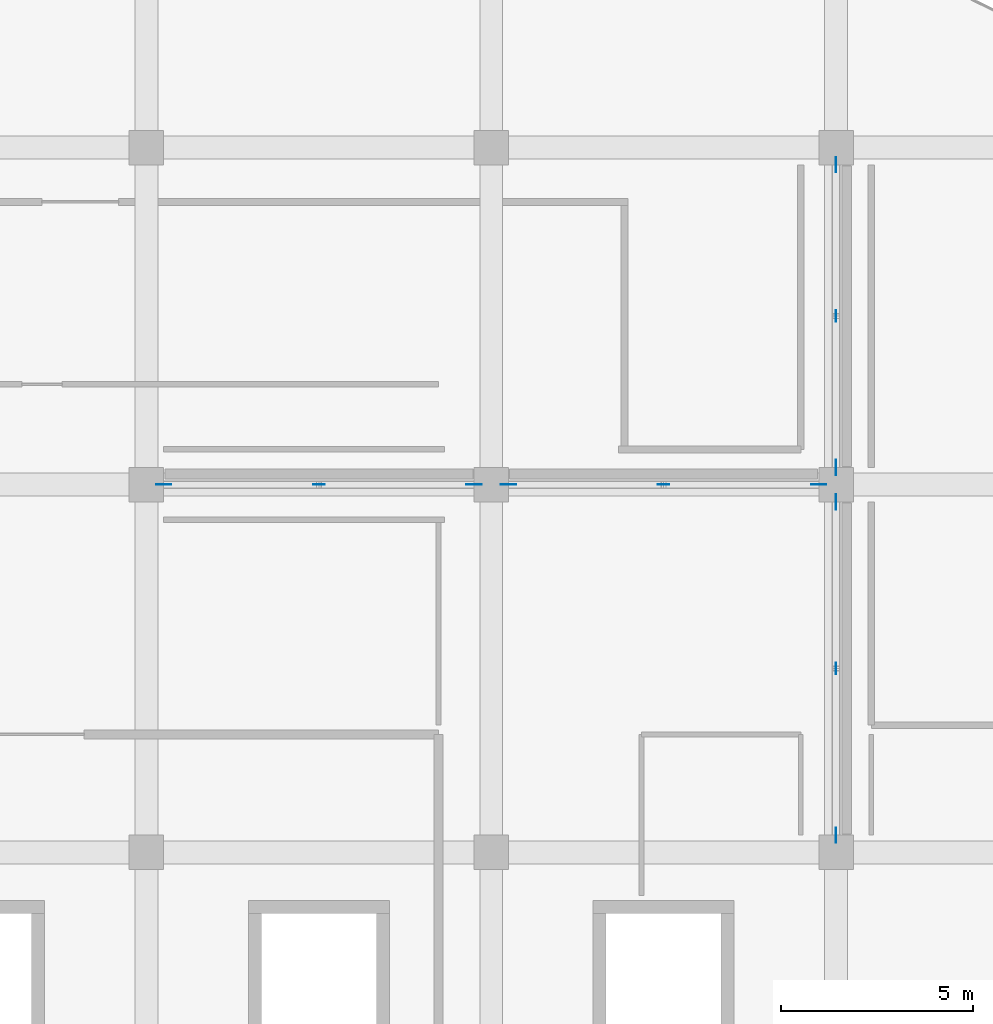
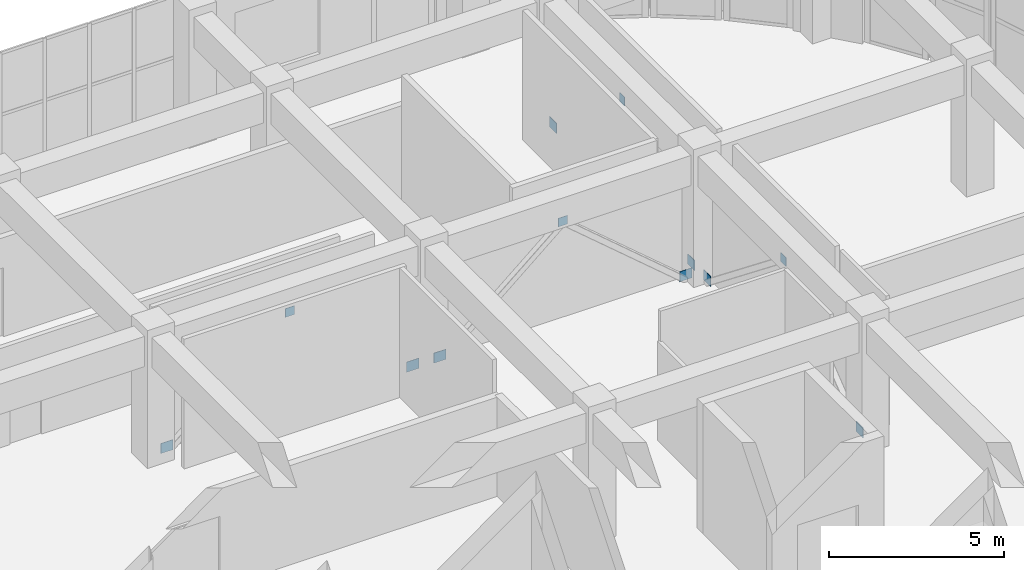
# One storey, part 60 of 96: 12 plates.
"""IFC4 building model written with IfcOpenShell, lengths in metres."""

from ifc_helpers import new_model, si_unit, direction, frame, origin, origin_2d, place, context, subcontext, project, spatial, rectangle, extrude, material, layer, layer_set, type_object, element, save


model = new_model("IFC4")

# Units and contexts
model_context = context("Model", 3, precision=1e-05, world=origin(), true_north=direction((0.0, 1.0)))
body_context = subcontext(model_context, "Body", "Model", "MODEL_VIEW")
ifc_project = project(units=[si_unit("LENGTHUNIT", "METRE"), si_unit("AREAUNIT", "SQUARE_METRE"), si_unit("VOLUMEUNIT", "CUBIC_METRE"), si_unit("PLANEANGLEUNIT", "RADIAN"), si_unit("MASSUNIT", "GRAM", prefix="KILO")], contexts=[model_context])

# Site, building, storey
site_placement = place(None, origin())
site = spatial("IfcSite", under=ifc_project, at=site_placement, CompositionType="ELEMENT")
building_placement = place(site_placement, origin())
building = spatial("IfcBuilding", under=site, at=building_placement, Name="Cendralis Terraced Arcade", CompositionType="ELEMENT")
storey_placement = place(building_placement, frame((0.0, 0.0, 10.199951171875)))
storey = spatial("IfcBuildingStorey", under=building, at=storey_placement, Name="L02", CompositionType="ELEMENT", Elevation=10.199951171875)

# Plates
ifc_material = material(Name="Steel ASTM A572 Grade 50", Category="steel")
ifc_layer_1 = layer(ifc_material, 0.013916015625, Name="PLT-CAP-300x300x14")
ifc_layer_set_1 = layer_set([ifc_layer_1], Name="Steel ASTM A572 Grade 50")
plate_type_1 = type_object("IfcPlateType", Name="PLT-CAP-300x300x14", PredefinedType="SHEET", material=ifc_layer_set_1)
for number, where, z_axis, x_axis, name in (
    (1, (143.699951171875, 98.39990234375, 3.31494140625), (0.0, 0.0, 1.0), (1.0, 0.0, 0.0), "Chevron Brace Apex Gusset Plate L02-006"),
    (2, (152.699951171875, 98.39990234375, 3.31494140625), (0.0, 0.0, 1.0), (1.0, 0.0, 0.0), "Chevron Brace Apex Gusset Plate L02-014"),
    (3, (157.199951171875, 93.60009765625, 3.31494140625), (0.0, 0.0, 1.0), (0.0, 1.0, 0.0), "Chevron Brace Apex Gusset Plate L02-022"),
    (4, (157.199951171875, 102.800048828125, 3.31494140625), (0.0, 0.0, 1.0), (0.0, 1.0, 0.0), "Chevron Brace Apex Gusset Plate L02-030"),
):
    element("IfcPlate", number, at=place(storey_placement, frame(where, z_axis=z_axis, x_axis=x_axis)), inside=storey, type_object=plate_type_1, Name=name, PredefinedType="SHEET", context=body_context, shape_type="SweptSolid", body=[
        extrude(rectangle(XDim=0.300048828125, YDim=0.013916015625, at=origin_2d()), origin(), (0.0, 0.0, 1.0), 0.300048828125),
    ])
ifc_layer_2 = layer(ifc_material, 0.01611328125, Name="PLT-GUS-400x350x16")
ifc_layer_set_2 = layer_set([ifc_layer_2], Name="Steel ASTM A572 Grade 50")
plate_type_2 = type_object("IfcPlateType", Name="PLT-GUS-400x350x16", PredefinedType="SHEET", material=ifc_layer_set_2)
for number, where, z_axis, x_axis, name in (
    (5, (139.64990234375, 98.39990234375, 0.0048828125), (0.0, 0.0, 1.0), (1.0, 0.0, 0.0), "Chevron Brace Base Gusset Plate L02-006-1"),
    (6, (147.75, 98.39990234375, 0.0048828125), (0.0, 0.0, 1.0), (1.0, 0.0, 0.0), "Chevron Brace Base Gusset Plate L02-006-2"),
    (7, (148.64990234375, 98.39990234375, 0.0048828125), (0.0, 0.0, 1.0), (1.0, 0.0, 0.0), "Chevron Brace Base Gusset Plate L02-014-1"),
    (8, (156.75, 98.39990234375, 0.0048828125), (0.0, 0.0, 1.0), (1.0, 0.0, 0.0), "Chevron Brace Base Gusset Plate L02-014-2"),
    (9, (157.199951171875, 89.25, 0.0048828125), (0.0, 0.0, 1.0), (0.0, 1.0, 0.0), "Chevron Brace Base Gusset Plate L02-022-1"),
    (10, (157.199951171875, 97.949951171875, 0.0048828125), (0.0, 0.0, 1.0), (0.0, 1.0, 0.0), "Chevron Brace Base Gusset Plate L02-022-2"),
    (11, (157.199951171875, 98.85009765625, 0.0048828125), (0.0, 0.0, 1.0), (0.0, 1.0, 0.0), "Chevron Brace Base Gusset Plate L02-030-1"),
    (12, (157.199951171875, 106.75, 0.0048828125), (0.0, 0.0, 1.0), (0.0, 1.0, 0.0), "Chevron Brace Base Gusset Plate L02-030-2"),
):
    element("IfcPlate", number, at=place(storey_placement, frame(where, z_axis=z_axis, x_axis=x_axis)), inside=storey, type_object=plate_type_2, Name=name, PredefinedType="SHEET", context=body_context, shape_type="SweptSolid", body=[
        extrude(rectangle(XDim=0.39990234375, YDim=0.01611328125, at=origin_2d()), origin(), (0.0, 0.0, 1.0), 0.35009765625),
    ])

save(model, "model.ifc")
